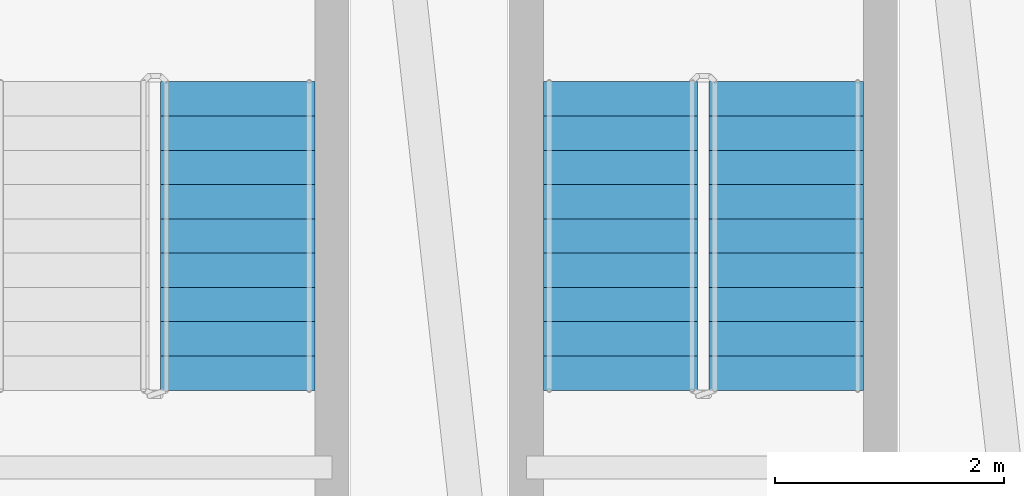
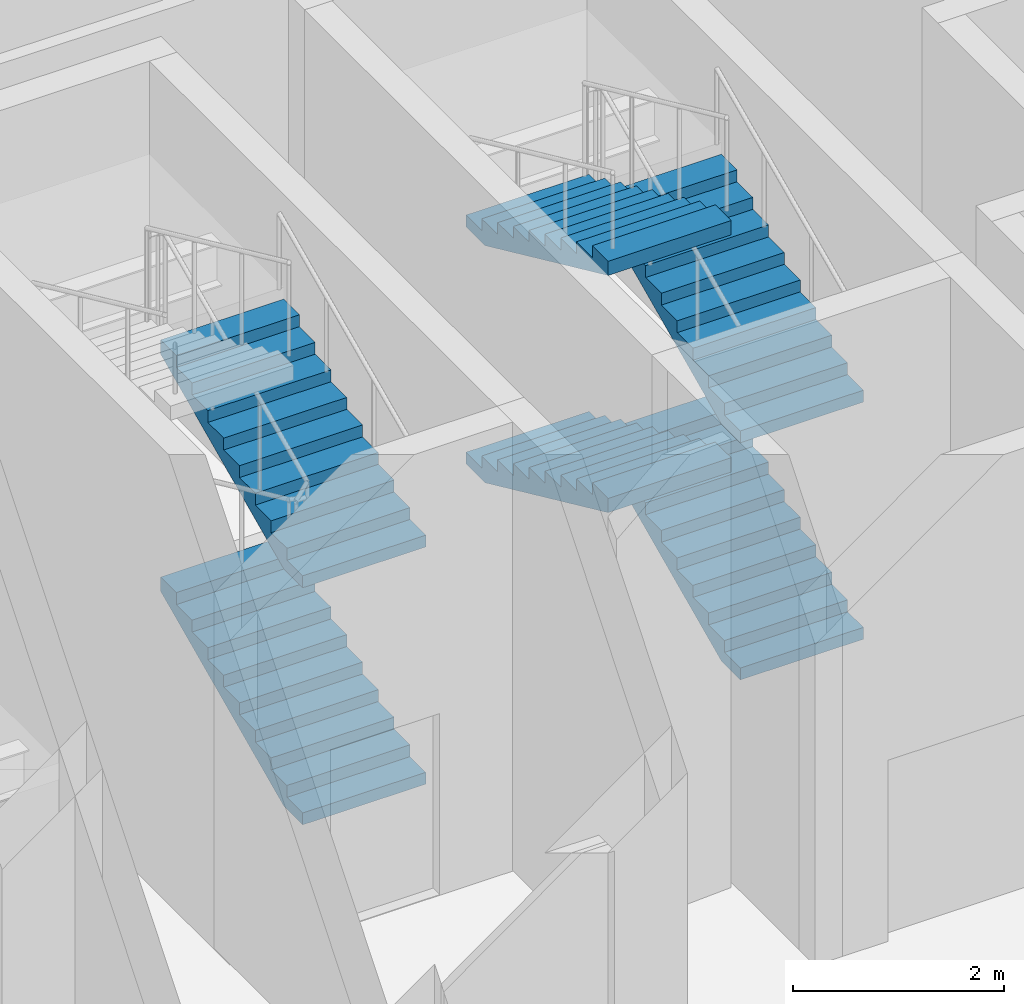
# One storey, part 41 of 44: 6 stair flights, 2 elements without a shape of their own.
"""IFC4 building model written with IfcOpenShell, lengths in metres."""

from ifc_helpers import new_model, si_unit, direction, frame, origin, place, context, subcontext, project, spatial, polyline, outline, extrude, material, type_object, element, aggregate, save


model = new_model("IFC4")

# Units and contexts
model_context = context("Model", 3, precision=1e-05, world=origin(), true_north=direction((0.0, 1.0)))
body_context = subcontext(model_context, "Body", "Model", "MODEL_VIEW")
ifc_project = project(units=[si_unit("LENGTHUNIT", "METRE"), si_unit("AREAUNIT", "SQUARE_METRE"), si_unit("VOLUMEUNIT", "CUBIC_METRE"), si_unit("PLANEANGLEUNIT", "RADIAN"), si_unit("MASSUNIT", "GRAM", prefix="KILO")], contexts=[model_context])

# Site, building, storey
site_placement = place(None, origin())
site = spatial("IfcSite", under=ifc_project, at=site_placement, CompositionType="ELEMENT")
building_placement = place(site_placement, origin())
building = spatial("IfcBuilding", under=site, at=building_placement, Name="Tuul Gate Civic Tower", CompositionType="ELEMENT")
storey_placement = place(building_placement, frame((0.0, 0.0, 354.60009765625)))
storey = spatial("IfcBuildingStorey", under=building, at=storey_placement, Name="Observation level 2", CompositionType="ELEMENT", Elevation=354.60009765625)

# Stair, stair flights
ifc_material_1 = material(Name="Concrete C40/50", Category="concrete")
stair_type = type_object("IfcStairType", Name="Exit stair", PredefinedType="HALF_TURN_STAIR", material=ifc_material_1)
stair_1_placement = place(storey_placement, origin())
stair_1 = element("IfcStair", 1, at=stair_1_placement, inside=storey, type_object=stair_type, Name="Observation level 2 ST-6", PredefinedType="HALF_TURN_STAIR")
ifc_material_2 = material(Name="Concrete C40/50", Category="concrete")
stair_flight_type = type_object("IfcStairFlightType", Name="Exit stair flight", PredefinedType="STRAIGHT", material=ifc_material_2)
stair_flight_1_placement = place(storey_placement, frame((0.52490234375, 0.75, 0.0), z_axis=(0.0, 0.0, 1.0), x_axis=(0.0, 1.0, 0.0)))
stair_flight_1 = element("IfcStairFlight", 2, at=stair_flight_1_placement, type_object=stair_flight_type, Name="ST-6 flight 1", NumberOfRisers=10, NumberOfTreads=9, PredefinedType="STRAIGHT", RiserHeight=0.1375, TreadLength=0.3, context=body_context, shape_type="SweptSolid", body=[
    extrude(outline(polyline([(0.0, 0.0), (0.0, 0.137451171875), (0.300048828125, 0.137451171875), (0.300048828125, 0.27490234375), (0.60009765625, 0.27490234375), (0.60009765625, 0.41259765625), (0.89990234375, 0.41259765625), (0.89990234375, 0.550048828125), (1.199951171875, 0.550048828125), (1.199951171875, 0.6875), (1.5, 0.6875), (1.5, 0.824951171875), (1.800048828125, 0.824951171875), (1.800048828125, 0.96240234375), (2.10009765625, 0.96240234375), (2.10009765625, 1.10009765625), (2.39990234375, 1.10009765625), (2.39990234375, 1.237548828125), (2.699951171875, 1.237548828125), (2.699951171875, 1.375), (2.699951171875, 1.072509765625), (0.35986328125, 0.0), (0.0, 0.0)])), frame((0.0, 0.675048828125, 0.0), z_axis=(0.0, -1.0, 0.0), x_axis=(1.0, 0.0, 0.0)), (0.0, 0.0, 1.0), 1.35009765625),
])
stair_flight_2_placement = place(storey_placement, frame((0.52490234375, 0.75, 2.75), z_axis=(0.0, 0.0, 1.0), x_axis=(0.0, 1.0, 0.0)))
stair_flight_2 = element("IfcStairFlight", 3, at=stair_flight_2_placement, type_object=stair_flight_type, Name="ST-6 flight 3", NumberOfRisers=10, NumberOfTreads=9, PredefinedType="STRAIGHT", RiserHeight=0.1375, TreadLength=0.3, context=body_context, shape_type="SweptSolid", body=[
    extrude(outline(polyline([(0.0, 0.0), (0.0, 0.137451171875), (0.300048828125, 0.137451171875), (0.300048828125, 0.27490234375), (0.60009765625, 0.27490234375), (0.60009765625, 0.41259765625), (0.89990234375, 0.41259765625), (0.89990234375, 0.550048828125), (1.199951171875, 0.550048828125), (1.199951171875, 0.6875), (1.5, 0.6875), (1.5, 0.824951171875), (1.800048828125, 0.824951171875), (1.800048828125, 0.96240234375), (2.10009765625, 0.96240234375), (2.10009765625, 1.10009765625), (2.39990234375, 1.10009765625), (2.39990234375, 1.237548828125), (2.699951171875, 1.237548828125), (2.699951171875, 1.375), (2.699951171875, 1.072509765625), (0.35986328125, 0.0), (0.0, 0.0)])), frame((0.0, 0.675048828125, 0.0), z_axis=(0.0, -1.0, 0.0), x_axis=(1.0, 0.0, 0.0)), (0.0, 0.0, 1.0), 1.35009765625),
])
aggregate(stair_1, [stair_flight_1, stair_flight_2])

stair_2_placement = place(storey_placement, origin())
stair_2 = element("IfcStair", 4, at=stair_2_placement, inside=storey, type_object=stair_type, Name="Observation level 2 ST-7", PredefinedType="HALF_TURN_STAIR")
stair_flight_3_placement = place(storey_placement, frame((5.324951171875, 0.75, 0.0), z_axis=(0.0, 0.0, 1.0), x_axis=(0.0, 1.0, 0.0)))
stair_flight_3 = element("IfcStairFlight", 5, at=stair_flight_3_placement, type_object=stair_flight_type, Name="ST-7 flight 1", NumberOfRisers=10, NumberOfTreads=9, PredefinedType="STRAIGHT", RiserHeight=0.1375, TreadLength=0.3, context=body_context, shape_type="SweptSolid", body=[
    extrude(outline(polyline([(0.0, 0.0), (0.0, 0.137451171875), (0.300048828125, 0.137451171875), (0.300048828125, 0.27490234375), (0.60009765625, 0.27490234375), (0.60009765625, 0.41259765625), (0.89990234375, 0.41259765625), (0.89990234375, 0.550048828125), (1.199951171875, 0.550048828125), (1.199951171875, 0.6875), (1.5, 0.6875), (1.5, 0.824951171875), (1.800048828125, 0.824951171875), (1.800048828125, 0.96240234375), (2.10009765625, 0.96240234375), (2.10009765625, 1.10009765625), (2.39990234375, 1.10009765625), (2.39990234375, 1.237548828125), (2.699951171875, 1.237548828125), (2.699951171875, 1.375), (2.699951171875, 1.072509765625), (0.35986328125, 0.0), (0.0, 0.0)])), frame((0.0, 0.675048828125, 0.0), z_axis=(0.0, -1.0, 0.0), x_axis=(1.0, 0.0, 0.0)), (0.0, 0.0, 1.0), 1.35009765625),
])
stair_flight_4_placement = place(storey_placement, frame((3.875, 3.449951171875, 1.375), z_axis=(0.0, 0.0, 1.0), x_axis=(0.0, -1.0, 0.0)))
stair_flight_4 = element("IfcStairFlight", 6, at=stair_flight_4_placement, type_object=stair_flight_type, Name="ST-7 flight 2", NumberOfRisers=10, NumberOfTreads=9, PredefinedType="STRAIGHT", RiserHeight=0.1375, TreadLength=0.3, context=body_context, shape_type="SweptSolid", body=[
    extrude(outline(polyline([(0.0, 0.0), (0.0, 0.137451171875), (0.300048828125, 0.137451171875), (0.300048828125, 0.27490234375), (0.60009765625, 0.27490234375), (0.60009765625, 0.41259765625), (0.89990234375, 0.41259765625), (0.89990234375, 0.550048828125), (1.199951171875, 0.550048828125), (1.199951171875, 0.6875), (1.5, 0.6875), (1.5, 0.824951171875), (1.800048828125, 0.824951171875), (1.800048828125, 0.96240234375), (2.10009765625, 0.96240234375), (2.10009765625, 1.10009765625), (2.39990234375, 1.10009765625), (2.39990234375, 1.237548828125), (2.699951171875, 1.237548828125), (2.699951171875, 1.375), (2.699951171875, 1.072509765625), (0.35986328125, 0.0), (0.0, 0.0)])), frame((0.0, 0.675048828125, 0.0), z_axis=(0.0, -1.0, 0.0), x_axis=(1.0, 0.0, 0.0)), (0.0, 0.0, 1.0), 1.35009765625),
])
stair_flight_5_placement = place(storey_placement, frame((5.324951171875, 0.75, 2.75), z_axis=(0.0, 0.0, 1.0), x_axis=(0.0, 1.0, 0.0)))
stair_flight_5 = element("IfcStairFlight", 7, at=stair_flight_5_placement, type_object=stair_flight_type, Name="ST-7 flight 3", NumberOfRisers=10, NumberOfTreads=9, PredefinedType="STRAIGHT", RiserHeight=0.1375, TreadLength=0.3, context=body_context, shape_type="SweptSolid", body=[
    extrude(outline(polyline([(0.0, 0.0), (0.0, 0.137451171875), (0.300048828125, 0.137451171875), (0.300048828125, 0.27490234375), (0.60009765625, 0.27490234375), (0.60009765625, 0.41259765625), (0.89990234375, 0.41259765625), (0.89990234375, 0.550048828125), (1.199951171875, 0.550048828125), (1.199951171875, 0.6875), (1.5, 0.6875), (1.5, 0.824951171875), (1.800048828125, 0.824951171875), (1.800048828125, 0.96240234375), (2.10009765625, 0.96240234375), (2.10009765625, 1.10009765625), (2.39990234375, 1.10009765625), (2.39990234375, 1.237548828125), (2.699951171875, 1.237548828125), (2.699951171875, 1.375), (2.699951171875, 1.072509765625), (0.35986328125, 0.0), (0.0, 0.0)])), frame((0.0, 0.675048828125, 0.0), z_axis=(0.0, -1.0, 0.0), x_axis=(1.0, 0.0, 0.0)), (0.0, 0.0, 1.0), 1.35009765625),
])
stair_flight_6_placement = place(storey_placement, frame((3.875, 3.449951171875, 4.125), z_axis=(0.0, 0.0, 1.0), x_axis=(0.0, -1.0, 0.0)))
stair_flight_6 = element("IfcStairFlight", 8, at=stair_flight_6_placement, type_object=stair_flight_type, Name="ST-7 flight 4", NumberOfRisers=10, NumberOfTreads=9, PredefinedType="STRAIGHT", RiserHeight=0.1375, TreadLength=0.3, context=body_context, shape_type="SweptSolid", body=[
    extrude(outline(polyline([(0.0, 0.0), (0.0, 0.137451171875), (0.300048828125, 0.137451171875), (0.300048828125, 0.27490234375), (0.60009765625, 0.27490234375), (0.60009765625, 0.41259765625), (0.89990234375, 0.41259765625), (0.89990234375, 0.550048828125), (1.199951171875, 0.550048828125), (1.199951171875, 0.6875), (1.5, 0.6875), (1.5, 0.824951171875), (1.800048828125, 0.824951171875), (1.800048828125, 0.96240234375), (2.10009765625, 0.96240234375), (2.10009765625, 1.10009765625), (2.39990234375, 1.10009765625), (2.39990234375, 1.237548828125), (2.699951171875, 1.237548828125), (2.699951171875, 1.375), (2.699951171875, 1.072509765625), (0.35986328125, 0.0), (0.0, 0.0)])), frame((0.0, 0.675048828125, 0.0), z_axis=(0.0, -1.0, 0.0), x_axis=(1.0, 0.0, 0.0)), (0.0, 0.0, 1.0), 1.35009765625),
])
aggregate(stair_2, [stair_flight_3, stair_flight_4, stair_flight_5, stair_flight_6])

save(model, "model.ifc")
